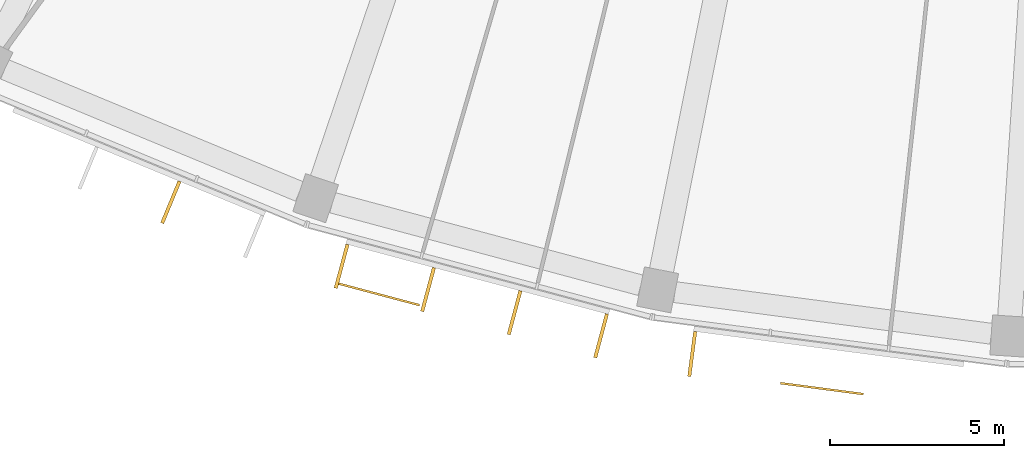
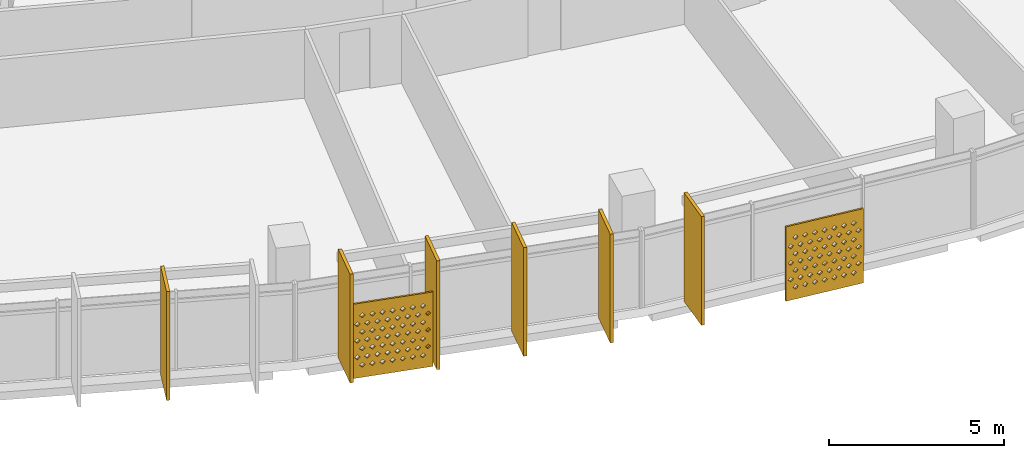
# One storey, part 24 of 27: 8 shading devices.
"""IFC4 building model written with IfcOpenShell, lengths in metres."""

import ifcopenshell
import ifcopenshell.guid

model = None  # the IFC model being written
_history = None  # IfcOwnerHistory: only IFC2X3 demands one
_inside = {}  # id of a spatial element -> (the spatial element, [elements in it])
_under = {}  # id of a project, library or spatial element -> (it, [spatial elements below it])
_declared = {}  # id of a project -> (the project, [libraries it declares])
_typed = {}  # id of a type object -> (the type object, [elements of that type])
_made_of = {}  # id of a material, layer set ... -> (it, [elements and type objects made of it])


def new_model(schema):
    """Start an empty IFC model of exactly this schema.

    Asked for "IFC4X3", IfcOpenShell would pick the latest addendum, in which some entities
    have other attributes; the version numbers below select the first issue.
    IFC2X3 requires an IfcOwnerHistory on every rooted entity: one is made here for all.
    """
    global model, _history
    if schema == "IFC4X3":
        model = ifcopenshell.file(schema_version=(4, 3, 0, 0))
    else:
        model = ifcopenshell.file(schema=schema)
    _inside.clear()
    _under.clear()
    _declared.clear()
    _typed.clear()
    _made_of.clear()
    _history = None
    if model.schema == "IFC2X3":
        org = make("IfcOrganization", Name="unknown")
        user = make(
            "IfcPersonAndOrganization",
            ThePerson=make("IfcPerson", FamilyName="unknown"),
            TheOrganization=org,
        )
        app = make(
            "IfcApplication",
            ApplicationDeveloper=org,
            Version="unknown",
            ApplicationFullName="unknown",
            ApplicationIdentifier="unknown",
        )
        _history = make(
            "IfcOwnerHistory",
            OwningUser=user,
            OwningApplication=app,
            ChangeAction="ADDED",
            CreationDate=0,
        )
    return model


def make(cls, **values):
    """One entity of the class cls with the attributes given. An attribute that is None is left unset."""
    return model.create_entity(
        cls, **{name: value for name, value in values.items() if value is not None}
    )


def rooted(cls, **values):
    """An entity with a GlobalId (a new one), such as an element, a storey or a relation."""
    return make(cls, GlobalId=ifcopenshell.guid.new(), OwnerHistory=_history, **values)


def si_unit(unit_type, name, prefix=None):
    """IfcSIUnit, for example si_unit("LENGTHUNIT", "METRE", prefix="MILLI")."""
    return make("IfcSIUnit", UnitType=unit_type, Prefix=prefix, Name=name)


def assignment(units):
    """IfcUnitAssignment: the units of a project."""
    return None if units is None else make("IfcUnitAssignment", Units=units)


def point(xyz):
    """IfcCartesianPoint."""
    return None if xyz is None else make("IfcCartesianPoint", Coordinates=xyz)


def direction(xyz):
    """IfcDirection."""
    return None if xyz is None else make("IfcDirection", DirectionRatios=xyz)


def frame(location, z_axis=None, x_axis=None):
    """IfcAxis2Placement3D, a coordinate frame: its origin and axes. An axis left out is left unset."""
    return make(
        "IfcAxis2Placement3D",
        Location=point(location),
        Axis=direction(z_axis),
        RefDirection=direction(x_axis),
    )


def frame_2d(location, x_axis=None):
    """IfcAxis2Placement2D, a coordinate frame in the plane: its origin and x axis."""
    return make(
        "IfcAxis2Placement2D", Location=point(location), RefDirection=direction(x_axis)
    )


def origin():
    """The frame at (0, 0, 0) with its axes left unset."""
    return frame((0.0, 0.0, 0.0))


def origin_2d():
    """The frame at (0, 0) in the plane with its x axis left unset."""
    return frame_2d((0.0, 0.0))


def place(relative_to, where):
    """IfcLocalPlacement: puts the frame where relative to a parent placement (None: the world)."""
    return make(
        "IfcLocalPlacement", PlacementRelTo=relative_to, RelativePlacement=where
    )


def context(
    kind, dimensions, precision=None, world=None, true_north=None, identifier=None
):
    """IfcGeometricRepresentationContext, for example the 3D "Model" context."""
    return make(
        "IfcGeometricRepresentationContext",
        ContextIdentifier=identifier,
        ContextType=kind,
        CoordinateSpaceDimension=dimensions,
        Precision=precision,
        WorldCoordinateSystem=world,
        TrueNorth=true_north,
    )


def subcontext(parent, identifier, kind, view, scale=None):
    """IfcGeometricRepresentationSubContext, for example "Body" below "Model"."""
    return make(
        "IfcGeometricRepresentationSubContext",
        ContextIdentifier=identifier,
        ContextType=kind,
        ParentContext=parent,
        TargetScale=scale,
        TargetView=view,
    )


def project(units=None, contexts=None):
    """IfcProject with its units and contexts."""
    return rooted(
        "IfcProject",
        Name="project",
        RepresentationContexts=contexts,
        UnitsInContext=assignment(units),
    )


def spatial(cls, under=None, at=None, **own):
    """A site, building, storey or space (cls), placed at a placement, below another one or the project."""
    s = rooted(cls, ObjectPlacement=at, **own)
    if under is not None:
        _under.setdefault(under.id(), (under, []))[1].append(s)
    return s


def polyline(points):
    """IfcPolyline through the points."""
    return make("IfcPolyline", Points=[point(p) for p in points])


def profile(cls, at=None, kind="AREA", **sizes):
    """A parametric profile (cls). Its sizes go by their IFC names, for example OverallWidth=200.0."""
    return make(cls, ProfileType=kind, Position=at, **sizes)


def rectangle(**sizes):
    """IfcRectangleProfileDef."""
    return profile("IfcRectangleProfileDef", **sizes)


def outline(outer, holes=None, kind="AREA"):
    """IfcArbitraryClosedProfileDef: a profile drawn as a closed curve; with holes, ...WithVoids."""
    if holes is None:
        return make("IfcArbitraryClosedProfileDef", ProfileType=kind, OuterCurve=outer)
    return make(
        "IfcArbitraryProfileDefWithVoids",
        ProfileType=kind,
        OuterCurve=outer,
        InnerCurves=holes,
    )


def extrude(swept, where, along, depth):
    """IfcExtrudedAreaSolid: the profile swept, set in the frame where, extruded along a direction by depth."""
    return make(
        "IfcExtrudedAreaSolid",
        SweptArea=swept,
        Position=where,
        ExtrudedDirection=direction(along),
        Depth=depth,
    )


def shape(context_of_items, identifier, shape_type, items):
    """IfcShapeRepresentation: the items that make up one representation, for example the "Body"."""
    return make(
        "IfcShapeRepresentation",
        ContextOfItems=context_of_items,
        RepresentationIdentifier=identifier,
        RepresentationType=shape_type,
        Items=items,
    )


def material(Name=None, Category=None):
    """IfcMaterial."""
    return make("IfcMaterial", Name=Name, Category=Category)


def material_profile(
    of_material, cross_section, Name=None, Category=None, Priority=None
):
    """IfcMaterialProfile: a cross section and its material."""
    return make(
        "IfcMaterialProfile",
        Name=Name,
        Material=of_material,
        Profile=cross_section,
        Priority=Priority,
        Category=Category,
    )


def profile_set(profiles, Name=None, composite=None):
    """IfcMaterialProfileSet."""
    return make(
        "IfcMaterialProfileSet",
        Name=Name,
        MaterialProfiles=profiles,
        CompositeProfile=composite,
    )


def made_of(thing, what):
    """Note that an element or type object is made of a material, layer set ...; save() writes the relation."""
    if what is not None:
        _made_of.setdefault(what.id(), (what, []))[1].append(thing)
    return thing


def type_object(cls, material=None, **own):
    """A type object (cls), such as IfcWallType, which elements share."""
    return made_of(rooted(cls, **own), material)


def element(
    cls,
    number,
    at=None,
    inside=None,
    cuts=None,
    type_object=None,
    material=None,
    context=None,
    identifier="Body",
    shape_type=None,
    held_by="IfcProductDefinitionShape",
    body=None,
    shapes=None,
    **own,
):
    """One element of the class cls, such as IfcWall. Its Tag is "e" and its number.

    at: its placement. inside: the storey or other place that contains it. cuts: it is an
    opening in that element (IfcRelVoidsElement). A single representation is given by context,
    identifier, shape_type and body (its items); several are given by shapes. held_by: the class
    of the entity that holds the representations. save() writes the other relations.
    """
    e = rooted(cls, Tag="e%d" % number, ObjectPlacement=at, **own)
    if body is not None:
        shapes = [shape(context, identifier, shape_type, body)]
    if shapes is not None:
        e.Representation = make(held_by, Representations=shapes)
    if inside is not None:
        _inside.setdefault(inside.id(), (inside, []))[1].append(e)
    if cuts is not None:
        rooted(
            "IfcRelVoidsElement", RelatingBuildingElement=cuts, RelatedOpeningElement=e
        )
    if type_object is not None:
        _typed.setdefault(type_object.id(), (type_object, []))[1].append(e)
    return made_of(e, material)


def aggregate(whole, parts):
    """IfcRelAggregates: a whole, such as a stair, and the parts it consists of."""
    return rooted("IfcRelAggregates", RelatingObject=whole, RelatedObjects=parts)


def save(model, path):
    """Write the relations noted so far, then the file.

    IfcRelAggregates (storeys below a building ...), IfcRelContainedInSpatialStructure (elements
    in a storey), IfcRelDefinesByType, IfcRelAssociatesMaterial and IfcRelDeclares: one each for
    every whole, place, type object, material and project.
    """
    for whole, parts in _under.values():
        aggregate(whole, parts)
    for where, things in _inside.values():
        rooted(
            "IfcRelContainedInSpatialStructure",
            RelatedElements=things,
            RelatingStructure=where,
        )
    for kind, things in _typed.values():
        rooted("IfcRelDefinesByType", RelatedObjects=things, RelatingType=kind)
    for what, things in _made_of.values():
        rooted("IfcRelAssociatesMaterial", RelatedObjects=things, RelatingMaterial=what)
    for by, libraries in _declared.values():
        rooted("IfcRelDeclares", RelatingContext=by, RelatedDefinitions=libraries)
    model.write(path)


model = new_model("IFC4")

# Units and contexts
model_context = context("Model", 3, precision=1e-05, world=origin(), true_north=direction((0.0, 1.0)))
body_context = subcontext(model_context, "Body", "Model", "MODEL_VIEW")
ifc_project = project(units=[si_unit("LENGTHUNIT", "METRE"), si_unit("AREAUNIT", "SQUARE_METRE"), si_unit("VOLUMEUNIT", "CUBIC_METRE"), si_unit("PLANEANGLEUNIT", "RADIAN"), si_unit("MASSUNIT", "GRAM", prefix="KILO")], contexts=[model_context])

# Site, building, storey
site_placement = place(None, origin())
site = spatial("IfcSite", under=ifc_project, at=site_placement, CompositionType="ELEMENT")
building_placement = place(site_placement, origin())
building = spatial("IfcBuilding", under=site, at=building_placement, Name="Qamariyya Broadcast Tower", CompositionType="ELEMENT")
storey_placement = place(building_placement, frame((0.0, 0.0, 237.89990234375)))
storey = spatial("IfcBuildingStorey", under=building, at=storey_placement, Name="L57", CompositionType="ELEMENT", Elevation=237.89990234375)

# Shading devices
ifc_material_1 = material(Name="Perforated glazed terracotta", Category="masonry")
ifc_material_profile_1 = material_profile(ifc_material_1, outline(polyline([(-1.199951171875, -1.300048828125), (1.199951171875, -1.300048828125), (1.199951171875, 1.300048828125), (-1.199951171875, 1.300048828125), (-1.199951171875, -1.300048828125)]), holes=[polyline([(-0.81494140625, -0.86669921875), (-0.89990234375, -0.78173828125), (-0.985107421875, -0.86669921875), (-0.89990234375, -0.95166015625), (-0.81494140625, -0.86669921875)]), polyline([(-0.514892578125, -0.86669921875), (-0.60009765625, -0.78173828125), (-0.68505859375, -0.86669921875), (-0.60009765625, -0.95166015625), (-0.514892578125, -0.86669921875)]), polyline([(-0.215087890625, -0.86669921875), (-0.300048828125, -0.78173828125), (-0.385009765625, -0.86669921875), (-0.300048828125, -0.95166015625), (-0.215087890625, -0.86669921875)]), polyline([(0.0849609375, -0.86669921875), (0.0, -0.78173828125), (-0.0849609375, -0.86669921875), (0.0, -0.95166015625), (0.0849609375, -0.86669921875)]), polyline([(0.385009765625, -0.86669921875), (0.300048828125, -0.78173828125), (0.215087890625, -0.86669921875), (0.300048828125, -0.95166015625), (0.385009765625, -0.86669921875)]), polyline([(0.68505859375, -0.86669921875), (0.60009765625, -0.78173828125), (0.514892578125, -0.86669921875), (0.60009765625, -0.95166015625), (0.68505859375, -0.86669921875)]), polyline([(0.985107421875, -0.86669921875), (0.89990234375, -0.78173828125), (0.81494140625, -0.86669921875), (0.89990234375, -0.95166015625), (0.985107421875, -0.86669921875)]), polyline([(-0.965087890625, -0.577880859375), (-1.050048828125, -0.49267578125), (-1.135009765625, -0.577880859375), (-1.050048828125, -0.662841796875), (-0.965087890625, -0.577880859375)]), polyline([(-0.6650390625, -0.577880859375), (-0.75, -0.49267578125), (-0.8349609375, -0.577880859375), (-0.75, -0.662841796875), (-0.6650390625, -0.577880859375)]), polyline([(-0.364990234375, -0.577880859375), (-0.449951171875, -0.49267578125), (-0.534912109375, -0.577880859375), (-0.449951171875, -0.662841796875), (-0.364990234375, -0.577880859375)]), polyline([(-0.06494140625, -0.577880859375), (-0.14990234375, -0.49267578125), (-0.235107421875, -0.577880859375), (-0.14990234375, -0.662841796875), (-0.06494140625, -0.577880859375)]), polyline([(0.235107421875, -0.577880859375), (0.14990234375, -0.49267578125), (0.06494140625, -0.577880859375), (0.14990234375, -0.662841796875), (0.235107421875, -0.577880859375)]), polyline([(0.534912109375, -0.577880859375), (0.449951171875, -0.49267578125), (0.364990234375, -0.577880859375), (0.449951171875, -0.662841796875), (0.534912109375, -0.577880859375)]), polyline([(0.8349609375, -0.577880859375), (0.75, -0.49267578125), (0.6650390625, -0.577880859375), (0.75, -0.662841796875), (0.8349609375, -0.577880859375)]), polyline([(1.135009765625, -0.577880859375), (1.050048828125, -0.49267578125), (0.965087890625, -0.577880859375), (1.050048828125, -0.662841796875), (1.135009765625, -0.577880859375)]), polyline([(-0.81494140625, -0.288818359375), (-0.89990234375, -0.203857421875), (-0.985107421875, -0.288818359375), (-0.89990234375, -0.373779296875), (-0.81494140625, -0.288818359375)]), polyline([(-0.514892578125, -0.288818359375), (-0.60009765625, -0.203857421875), (-0.68505859375, -0.288818359375), (-0.60009765625, -0.373779296875), (-0.514892578125, -0.288818359375)]), polyline([(-0.215087890625, -0.288818359375), (-0.300048828125, -0.203857421875), (-0.385009765625, -0.288818359375), (-0.300048828125, -0.373779296875), (-0.215087890625, -0.288818359375)]), polyline([(0.0849609375, -0.288818359375), (0.0, -0.203857421875), (-0.0849609375, -0.288818359375), (0.0, -0.373779296875), (0.0849609375, -0.288818359375)]), polyline([(0.385009765625, -0.288818359375), (0.300048828125, -0.203857421875), (0.215087890625, -0.288818359375), (0.300048828125, -0.373779296875), (0.385009765625, -0.288818359375)]), polyline([(0.68505859375, -0.288818359375), (0.60009765625, -0.203857421875), (0.514892578125, -0.288818359375), (0.60009765625, -0.373779296875), (0.68505859375, -0.288818359375)]), polyline([(0.985107421875, -0.288818359375), (0.89990234375, -0.203857421875), (0.81494140625, -0.288818359375), (0.89990234375, -0.373779296875), (0.985107421875, -0.288818359375)]), polyline([(-0.965087890625, 0.0), (-1.050048828125, 0.0849609375), (-1.135009765625, 0.0), (-1.050048828125, -0.0849609375), (-0.965087890625, 0.0)]), polyline([(-0.6650390625, 0.0), (-0.75, 0.0849609375), (-0.8349609375, 0.0), (-0.75, -0.0849609375), (-0.6650390625, 0.0)]), polyline([(-0.364990234375, 0.0), (-0.449951171875, 0.0849609375), (-0.534912109375, 0.0), (-0.449951171875, -0.0849609375), (-0.364990234375, 0.0)]), polyline([(-0.06494140625, 0.0), (-0.14990234375, 0.0849609375), (-0.235107421875, 0.0), (-0.14990234375, -0.0849609375), (-0.06494140625, 0.0)]), polyline([(0.235107421875, 0.0), (0.14990234375, 0.0849609375), (0.06494140625, 0.0), (0.14990234375, -0.0849609375), (0.235107421875, 0.0)]), polyline([(0.534912109375, 0.0), (0.449951171875, 0.0849609375), (0.364990234375, 0.0), (0.449951171875, -0.0849609375), (0.534912109375, 0.0)]), polyline([(0.8349609375, 0.0), (0.75, 0.0849609375), (0.6650390625, 0.0), (0.75, -0.0849609375), (0.8349609375, 0.0)]), polyline([(1.135009765625, 0.0), (1.050048828125, 0.0849609375), (0.965087890625, 0.0), (1.050048828125, -0.0849609375), (1.135009765625, 0.0)]), polyline([(-0.81494140625, 0.288818359375), (-0.89990234375, 0.373779296875), (-0.985107421875, 0.288818359375), (-0.89990234375, 0.203857421875), (-0.81494140625, 0.288818359375)]), polyline([(-0.514892578125, 0.288818359375), (-0.60009765625, 0.373779296875), (-0.68505859375, 0.288818359375), (-0.60009765625, 0.203857421875), (-0.514892578125, 0.288818359375)]), polyline([(-0.215087890625, 0.288818359375), (-0.300048828125, 0.373779296875), (-0.385009765625, 0.288818359375), (-0.300048828125, 0.203857421875), (-0.215087890625, 0.288818359375)]), polyline([(0.0849609375, 0.288818359375), (0.0, 0.373779296875), (-0.0849609375, 0.288818359375), (0.0, 0.203857421875), (0.0849609375, 0.288818359375)]), polyline([(0.385009765625, 0.288818359375), (0.300048828125, 0.373779296875), (0.215087890625, 0.288818359375), (0.300048828125, 0.203857421875), (0.385009765625, 0.288818359375)]), polyline([(0.68505859375, 0.288818359375), (0.60009765625, 0.373779296875), (0.514892578125, 0.288818359375), (0.60009765625, 0.203857421875), (0.68505859375, 0.288818359375)]), polyline([(0.985107421875, 0.288818359375), (0.89990234375, 0.373779296875), (0.81494140625, 0.288818359375), (0.89990234375, 0.203857421875), (0.985107421875, 0.288818359375)]), polyline([(-0.965087890625, 0.577880859375), (-1.050048828125, 0.662841796875), (-1.135009765625, 0.577880859375), (-1.050048828125, 0.49267578125), (-0.965087890625, 0.577880859375)]), polyline([(-0.6650390625, 0.577880859375), (-0.75, 0.662841796875), (-0.8349609375, 0.577880859375), (-0.75, 0.49267578125), (-0.6650390625, 0.577880859375)]), polyline([(-0.364990234375, 0.577880859375), (-0.449951171875, 0.662841796875), (-0.534912109375, 0.577880859375), (-0.449951171875, 0.49267578125), (-0.364990234375, 0.577880859375)]), polyline([(-0.06494140625, 0.577880859375), (-0.14990234375, 0.662841796875), (-0.235107421875, 0.577880859375), (-0.14990234375, 0.49267578125), (-0.06494140625, 0.577880859375)]), polyline([(0.235107421875, 0.577880859375), (0.14990234375, 0.662841796875), (0.06494140625, 0.577880859375), (0.14990234375, 0.49267578125), (0.235107421875, 0.577880859375)]), polyline([(0.534912109375, 0.577880859375), (0.449951171875, 0.662841796875), (0.364990234375, 0.577880859375), (0.449951171875, 0.49267578125), (0.534912109375, 0.577880859375)]), polyline([(0.8349609375, 0.577880859375), (0.75, 0.662841796875), (0.6650390625, 0.577880859375), (0.75, 0.49267578125), (0.8349609375, 0.577880859375)]), polyline([(1.135009765625, 0.577880859375), (1.050048828125, 0.662841796875), (0.965087890625, 0.577880859375), (1.050048828125, 0.49267578125), (1.135009765625, 0.577880859375)]), polyline([(-0.81494140625, 0.86669921875), (-0.89990234375, 0.95166015625), (-0.985107421875, 0.86669921875), (-0.89990234375, 0.78173828125), (-0.81494140625, 0.86669921875)]), polyline([(-0.514892578125, 0.86669921875), (-0.60009765625, 0.95166015625), (-0.68505859375, 0.86669921875), (-0.60009765625, 0.78173828125), (-0.514892578125, 0.86669921875)]), polyline([(-0.215087890625, 0.86669921875), (-0.300048828125, 0.95166015625), (-0.385009765625, 0.86669921875), (-0.300048828125, 0.78173828125), (-0.215087890625, 0.86669921875)]), polyline([(0.0849609375, 0.86669921875), (0.0, 0.95166015625), (-0.0849609375, 0.86669921875), (0.0, 0.78173828125), (0.0849609375, 0.86669921875)]), polyline([(0.385009765625, 0.86669921875), (0.300048828125, 0.95166015625), (0.215087890625, 0.86669921875), (0.300048828125, 0.78173828125), (0.385009765625, 0.86669921875)]), polyline([(0.68505859375, 0.86669921875), (0.60009765625, 0.95166015625), (0.514892578125, 0.86669921875), (0.60009765625, 0.78173828125), (0.68505859375, 0.86669921875)]), polyline([(0.985107421875, 0.86669921875), (0.89990234375, 0.95166015625), (0.81494140625, 0.86669921875), (0.89990234375, 0.78173828125), (0.985107421875, 0.86669921875)])]))
ifc_profile_set_1 = profile_set([ifc_material_profile_1], Name="Perforated glazed terracotta")
shading_device_type_1 = type_object("IfcShadingDeviceType", Name="Perforated terracotta screen 2400 x 2600", PredefinedType="USERDEFINED", material=ifc_profile_set_1)
shading_device_1_placement = place(storey_placement, frame((-23.160400390625, -76.359130859375, 1.35009765625), z_axis=(-0.256901156343, -0.966437683387, 0.0), x_axis=(0.966437683387, -0.256901156343, 0.0)))
element("IfcShadingDevice", 1, at=shading_device_1_placement, inside=storey, type_object=shading_device_type_1, Name="e-scr-L57-06-0", ObjectType="SCREEN", PredefinedType="USERDEFINED", context=body_context, shape_type="SweptSolid", body=[
    extrude(outline(polyline([(-1.199951171875, -1.300048828125), (1.199951171875, -1.300048828125), (1.199951171875, 1.300048828125), (-1.199951171875, 1.300048828125), (-1.199951171875, -1.300048828125)]), holes=[polyline([(-0.81494140625, -0.86669921875), (-0.89990234375, -0.78173828125), (-0.985107421875, -0.86669921875), (-0.89990234375, -0.95166015625), (-0.81494140625, -0.86669921875)]), polyline([(-0.514892578125, -0.86669921875), (-0.60009765625, -0.78173828125), (-0.68505859375, -0.86669921875), (-0.60009765625, -0.95166015625), (-0.514892578125, -0.86669921875)]), polyline([(-0.215087890625, -0.86669921875), (-0.300048828125, -0.78173828125), (-0.385009765625, -0.86669921875), (-0.300048828125, -0.95166015625), (-0.215087890625, -0.86669921875)]), polyline([(0.0849609375, -0.86669921875), (0.0, -0.78173828125), (-0.0849609375, -0.86669921875), (0.0, -0.95166015625), (0.0849609375, -0.86669921875)]), polyline([(0.385009765625, -0.86669921875), (0.300048828125, -0.78173828125), (0.215087890625, -0.86669921875), (0.300048828125, -0.95166015625), (0.385009765625, -0.86669921875)]), polyline([(0.68505859375, -0.86669921875), (0.60009765625, -0.78173828125), (0.514892578125, -0.86669921875), (0.60009765625, -0.95166015625), (0.68505859375, -0.86669921875)]), polyline([(0.985107421875, -0.86669921875), (0.89990234375, -0.78173828125), (0.81494140625, -0.86669921875), (0.89990234375, -0.95166015625), (0.985107421875, -0.86669921875)]), polyline([(-0.965087890625, -0.577880859375), (-1.050048828125, -0.49267578125), (-1.135009765625, -0.577880859375), (-1.050048828125, -0.662841796875), (-0.965087890625, -0.577880859375)]), polyline([(-0.6650390625, -0.577880859375), (-0.75, -0.49267578125), (-0.8349609375, -0.577880859375), (-0.75, -0.662841796875), (-0.6650390625, -0.577880859375)]), polyline([(-0.364990234375, -0.577880859375), (-0.449951171875, -0.49267578125), (-0.534912109375, -0.577880859375), (-0.449951171875, -0.662841796875), (-0.364990234375, -0.577880859375)]), polyline([(-0.06494140625, -0.577880859375), (-0.14990234375, -0.49267578125), (-0.235107421875, -0.577880859375), (-0.14990234375, -0.662841796875), (-0.06494140625, -0.577880859375)]), polyline([(0.235107421875, -0.577880859375), (0.14990234375, -0.49267578125), (0.06494140625, -0.577880859375), (0.14990234375, -0.662841796875), (0.235107421875, -0.577880859375)]), polyline([(0.534912109375, -0.577880859375), (0.449951171875, -0.49267578125), (0.364990234375, -0.577880859375), (0.449951171875, -0.662841796875), (0.534912109375, -0.577880859375)]), polyline([(0.8349609375, -0.577880859375), (0.75, -0.49267578125), (0.6650390625, -0.577880859375), (0.75, -0.662841796875), (0.8349609375, -0.577880859375)]), polyline([(1.135009765625, -0.577880859375), (1.050048828125, -0.49267578125), (0.965087890625, -0.577880859375), (1.050048828125, -0.662841796875), (1.135009765625, -0.577880859375)]), polyline([(-0.81494140625, -0.288818359375), (-0.89990234375, -0.203857421875), (-0.985107421875, -0.288818359375), (-0.89990234375, -0.373779296875), (-0.81494140625, -0.288818359375)]), polyline([(-0.514892578125, -0.288818359375), (-0.60009765625, -0.203857421875), (-0.68505859375, -0.288818359375), (-0.60009765625, -0.373779296875), (-0.514892578125, -0.288818359375)]), polyline([(-0.215087890625, -0.288818359375), (-0.300048828125, -0.203857421875), (-0.385009765625, -0.288818359375), (-0.300048828125, -0.373779296875), (-0.215087890625, -0.288818359375)]), polyline([(0.0849609375, -0.288818359375), (0.0, -0.203857421875), (-0.0849609375, -0.288818359375), (0.0, -0.373779296875), (0.0849609375, -0.288818359375)]), polyline([(0.385009765625, -0.288818359375), (0.300048828125, -0.203857421875), (0.215087890625, -0.288818359375), (0.300048828125, -0.373779296875), (0.385009765625, -0.288818359375)]), polyline([(0.68505859375, -0.288818359375), (0.60009765625, -0.203857421875), (0.514892578125, -0.288818359375), (0.60009765625, -0.373779296875), (0.68505859375, -0.288818359375)]), polyline([(0.985107421875, -0.288818359375), (0.89990234375, -0.203857421875), (0.81494140625, -0.288818359375), (0.89990234375, -0.373779296875), (0.985107421875, -0.288818359375)]), polyline([(-0.965087890625, 0.0), (-1.050048828125, 0.0849609375), (-1.135009765625, 0.0), (-1.050048828125, -0.0849609375), (-0.965087890625, 0.0)]), polyline([(-0.6650390625, 0.0), (-0.75, 0.0849609375), (-0.8349609375, 0.0), (-0.75, -0.0849609375), (-0.6650390625, 0.0)]), polyline([(-0.364990234375, 0.0), (-0.449951171875, 0.0849609375), (-0.534912109375, 0.0), (-0.449951171875, -0.0849609375), (-0.364990234375, 0.0)]), polyline([(-0.06494140625, 0.0), (-0.14990234375, 0.0849609375), (-0.235107421875, 0.0), (-0.14990234375, -0.0849609375), (-0.06494140625, 0.0)]), polyline([(0.235107421875, 0.0), (0.14990234375, 0.0849609375), (0.06494140625, 0.0), (0.14990234375, -0.0849609375), (0.235107421875, 0.0)]), polyline([(0.534912109375, 0.0), (0.449951171875, 0.0849609375), (0.364990234375, 0.0), (0.449951171875, -0.0849609375), (0.534912109375, 0.0)]), polyline([(0.8349609375, 0.0), (0.75, 0.0849609375), (0.6650390625, 0.0), (0.75, -0.0849609375), (0.8349609375, 0.0)]), polyline([(1.135009765625, 0.0), (1.050048828125, 0.0849609375), (0.965087890625, 0.0), (1.050048828125, -0.0849609375), (1.135009765625, 0.0)]), polyline([(-0.81494140625, 0.288818359375), (-0.89990234375, 0.373779296875), (-0.985107421875, 0.288818359375), (-0.89990234375, 0.203857421875), (-0.81494140625, 0.288818359375)]), polyline([(-0.514892578125, 0.288818359375), (-0.60009765625, 0.373779296875), (-0.68505859375, 0.288818359375), (-0.60009765625, 0.203857421875), (-0.514892578125, 0.288818359375)]), polyline([(-0.215087890625, 0.288818359375), (-0.300048828125, 0.373779296875), (-0.385009765625, 0.288818359375), (-0.300048828125, 0.203857421875), (-0.215087890625, 0.288818359375)]), polyline([(0.0849609375, 0.288818359375), (0.0, 0.373779296875), (-0.0849609375, 0.288818359375), (0.0, 0.203857421875), (0.0849609375, 0.288818359375)]), polyline([(0.385009765625, 0.288818359375), (0.300048828125, 0.373779296875), (0.215087890625, 0.288818359375), (0.300048828125, 0.203857421875), (0.385009765625, 0.288818359375)]), polyline([(0.68505859375, 0.288818359375), (0.60009765625, 0.373779296875), (0.514892578125, 0.288818359375), (0.60009765625, 0.203857421875), (0.68505859375, 0.288818359375)]), polyline([(0.985107421875, 0.288818359375), (0.89990234375, 0.373779296875), (0.81494140625, 0.288818359375), (0.89990234375, 0.203857421875), (0.985107421875, 0.288818359375)]), polyline([(-0.965087890625, 0.577880859375), (-1.050048828125, 0.662841796875), (-1.135009765625, 0.577880859375), (-1.050048828125, 0.49267578125), (-0.965087890625, 0.577880859375)]), polyline([(-0.6650390625, 0.577880859375), (-0.75, 0.662841796875), (-0.8349609375, 0.577880859375), (-0.75, 0.49267578125), (-0.6650390625, 0.577880859375)]), polyline([(-0.364990234375, 0.577880859375), (-0.449951171875, 0.662841796875), (-0.534912109375, 0.577880859375), (-0.449951171875, 0.49267578125), (-0.364990234375, 0.577880859375)]), polyline([(-0.06494140625, 0.577880859375), (-0.14990234375, 0.662841796875), (-0.235107421875, 0.577880859375), (-0.14990234375, 0.49267578125), (-0.06494140625, 0.577880859375)]), polyline([(0.235107421875, 0.577880859375), (0.14990234375, 0.662841796875), (0.06494140625, 0.577880859375), (0.14990234375, 0.49267578125), (0.235107421875, 0.577880859375)]), polyline([(0.534912109375, 0.577880859375), (0.449951171875, 0.662841796875), (0.364990234375, 0.577880859375), (0.449951171875, 0.49267578125), (0.534912109375, 0.577880859375)]), polyline([(0.8349609375, 0.577880859375), (0.75, 0.662841796875), (0.6650390625, 0.577880859375), (0.75, 0.49267578125), (0.8349609375, 0.577880859375)]), polyline([(1.135009765625, 0.577880859375), (1.050048828125, 0.662841796875), (0.965087890625, 0.577880859375), (1.050048828125, 0.49267578125), (1.135009765625, 0.577880859375)]), polyline([(-0.81494140625, 0.86669921875), (-0.89990234375, 0.95166015625), (-0.985107421875, 0.86669921875), (-0.89990234375, 0.78173828125), (-0.81494140625, 0.86669921875)]), polyline([(-0.514892578125, 0.86669921875), (-0.60009765625, 0.95166015625), (-0.68505859375, 0.86669921875), (-0.60009765625, 0.78173828125), (-0.514892578125, 0.86669921875)]), polyline([(-0.215087890625, 0.86669921875), (-0.300048828125, 0.95166015625), (-0.385009765625, 0.86669921875), (-0.300048828125, 0.78173828125), (-0.215087890625, 0.86669921875)]), polyline([(0.0849609375, 0.86669921875), (0.0, 0.95166015625), (-0.0849609375, 0.86669921875), (0.0, 0.78173828125), (0.0849609375, 0.86669921875)]), polyline([(0.385009765625, 0.86669921875), (0.300048828125, 0.95166015625), (0.215087890625, 0.86669921875), (0.300048828125, 0.78173828125), (0.385009765625, 0.86669921875)]), polyline([(0.68505859375, 0.86669921875), (0.60009765625, 0.95166015625), (0.514892578125, 0.86669921875), (0.60009765625, 0.78173828125), (0.68505859375, 0.86669921875)]), polyline([(0.985107421875, 0.86669921875), (0.89990234375, 0.95166015625), (0.81494140625, 0.86669921875), (0.89990234375, 0.78173828125), (0.985107421875, 0.86669921875)])]), origin(), (0.0, 0.0, 1.0), 0.059814453125),
])
shading_device_2_placement = place(storey_placement, frame((-10.4453125, -79.064697265625, 1.35009765625), z_axis=(-0.13056005306, -0.991440402921, 0.0), x_axis=(0.991440402921, -0.13056005306, 0.0)))
element("IfcShadingDevice", 2, at=shading_device_2_placement, inside=storey, type_object=shading_device_type_1, Name="e-scr-L57-07-1", ObjectType="SCREEN", PredefinedType="USERDEFINED", context=body_context, shape_type="SweptSolid", body=[
    extrude(outline(polyline([(-1.199951171875, -1.300048828125), (1.199951171875, -1.300048828125), (1.199951171875, 1.300048828125), (-1.199951171875, 1.300048828125), (-1.199951171875, -1.300048828125)]), holes=[polyline([(-0.81494140625, -0.86669921875), (-0.89990234375, -0.78173828125), (-0.985107421875, -0.86669921875), (-0.89990234375, -0.95166015625), (-0.81494140625, -0.86669921875)]), polyline([(-0.514892578125, -0.86669921875), (-0.60009765625, -0.78173828125), (-0.68505859375, -0.86669921875), (-0.60009765625, -0.95166015625), (-0.514892578125, -0.86669921875)]), polyline([(-0.215087890625, -0.86669921875), (-0.300048828125, -0.78173828125), (-0.385009765625, -0.86669921875), (-0.300048828125, -0.95166015625), (-0.215087890625, -0.86669921875)]), polyline([(0.0849609375, -0.86669921875), (0.0, -0.78173828125), (-0.0849609375, -0.86669921875), (0.0, -0.95166015625), (0.0849609375, -0.86669921875)]), polyline([(0.385009765625, -0.86669921875), (0.300048828125, -0.78173828125), (0.215087890625, -0.86669921875), (0.300048828125, -0.95166015625), (0.385009765625, -0.86669921875)]), polyline([(0.68505859375, -0.86669921875), (0.60009765625, -0.78173828125), (0.514892578125, -0.86669921875), (0.60009765625, -0.95166015625), (0.68505859375, -0.86669921875)]), polyline([(0.985107421875, -0.86669921875), (0.89990234375, -0.78173828125), (0.81494140625, -0.86669921875), (0.89990234375, -0.95166015625), (0.985107421875, -0.86669921875)]), polyline([(-0.965087890625, -0.577880859375), (-1.050048828125, -0.49267578125), (-1.135009765625, -0.577880859375), (-1.050048828125, -0.662841796875), (-0.965087890625, -0.577880859375)]), polyline([(-0.6650390625, -0.577880859375), (-0.75, -0.49267578125), (-0.8349609375, -0.577880859375), (-0.75, -0.662841796875), (-0.6650390625, -0.577880859375)]), polyline([(-0.364990234375, -0.577880859375), (-0.449951171875, -0.49267578125), (-0.534912109375, -0.577880859375), (-0.449951171875, -0.662841796875), (-0.364990234375, -0.577880859375)]), polyline([(-0.06494140625, -0.577880859375), (-0.14990234375, -0.49267578125), (-0.235107421875, -0.577880859375), (-0.14990234375, -0.662841796875), (-0.06494140625, -0.577880859375)]), polyline([(0.235107421875, -0.577880859375), (0.14990234375, -0.49267578125), (0.06494140625, -0.577880859375), (0.14990234375, -0.662841796875), (0.235107421875, -0.577880859375)]), polyline([(0.534912109375, -0.577880859375), (0.449951171875, -0.49267578125), (0.364990234375, -0.577880859375), (0.449951171875, -0.662841796875), (0.534912109375, -0.577880859375)]), polyline([(0.8349609375, -0.577880859375), (0.75, -0.49267578125), (0.6650390625, -0.577880859375), (0.75, -0.662841796875), (0.8349609375, -0.577880859375)]), polyline([(1.135009765625, -0.577880859375), (1.050048828125, -0.49267578125), (0.965087890625, -0.577880859375), (1.050048828125, -0.662841796875), (1.135009765625, -0.577880859375)]), polyline([(-0.81494140625, -0.288818359375), (-0.89990234375, -0.203857421875), (-0.985107421875, -0.288818359375), (-0.89990234375, -0.373779296875), (-0.81494140625, -0.288818359375)]), polyline([(-0.514892578125, -0.288818359375), (-0.60009765625, -0.203857421875), (-0.68505859375, -0.288818359375), (-0.60009765625, -0.373779296875), (-0.514892578125, -0.288818359375)]), polyline([(-0.215087890625, -0.288818359375), (-0.300048828125, -0.203857421875), (-0.385009765625, -0.288818359375), (-0.300048828125, -0.373779296875), (-0.215087890625, -0.288818359375)]), polyline([(0.0849609375, -0.288818359375), (0.0, -0.203857421875), (-0.0849609375, -0.288818359375), (0.0, -0.373779296875), (0.0849609375, -0.288818359375)]), polyline([(0.385009765625, -0.288818359375), (0.300048828125, -0.203857421875), (0.215087890625, -0.288818359375), (0.300048828125, -0.373779296875), (0.385009765625, -0.288818359375)]), polyline([(0.68505859375, -0.288818359375), (0.60009765625, -0.203857421875), (0.514892578125, -0.288818359375), (0.60009765625, -0.373779296875), (0.68505859375, -0.288818359375)]), polyline([(0.985107421875, -0.288818359375), (0.89990234375, -0.203857421875), (0.81494140625, -0.288818359375), (0.89990234375, -0.373779296875), (0.985107421875, -0.288818359375)]), polyline([(-0.965087890625, 0.0), (-1.050048828125, 0.0849609375), (-1.135009765625, 0.0), (-1.050048828125, -0.0849609375), (-0.965087890625, 0.0)]), polyline([(-0.6650390625, 0.0), (-0.75, 0.0849609375), (-0.8349609375, 0.0), (-0.75, -0.0849609375), (-0.6650390625, 0.0)]), polyline([(-0.364990234375, 0.0), (-0.449951171875, 0.0849609375), (-0.534912109375, 0.0), (-0.449951171875, -0.0849609375), (-0.364990234375, 0.0)]), polyline([(-0.06494140625, 0.0), (-0.14990234375, 0.0849609375), (-0.235107421875, 0.0), (-0.14990234375, -0.0849609375), (-0.06494140625, 0.0)]), polyline([(0.235107421875, 0.0), (0.14990234375, 0.0849609375), (0.06494140625, 0.0), (0.14990234375, -0.0849609375), (0.235107421875, 0.0)]), polyline([(0.534912109375, 0.0), (0.449951171875, 0.0849609375), (0.364990234375, 0.0), (0.449951171875, -0.0849609375), (0.534912109375, 0.0)]), polyline([(0.8349609375, 0.0), (0.75, 0.0849609375), (0.6650390625, 0.0), (0.75, -0.0849609375), (0.8349609375, 0.0)]), polyline([(1.135009765625, 0.0), (1.050048828125, 0.0849609375), (0.965087890625, 0.0), (1.050048828125, -0.0849609375), (1.135009765625, 0.0)]), polyline([(-0.81494140625, 0.288818359375), (-0.89990234375, 0.373779296875), (-0.985107421875, 0.288818359375), (-0.89990234375, 0.203857421875), (-0.81494140625, 0.288818359375)]), polyline([(-0.514892578125, 0.288818359375), (-0.60009765625, 0.373779296875), (-0.68505859375, 0.288818359375), (-0.60009765625, 0.203857421875), (-0.514892578125, 0.288818359375)]), polyline([(-0.215087890625, 0.288818359375), (-0.300048828125, 0.373779296875), (-0.385009765625, 0.288818359375), (-0.300048828125, 0.203857421875), (-0.215087890625, 0.288818359375)]), polyline([(0.0849609375, 0.288818359375), (0.0, 0.373779296875), (-0.0849609375, 0.288818359375), (0.0, 0.203857421875), (0.0849609375, 0.288818359375)]), polyline([(0.385009765625, 0.288818359375), (0.300048828125, 0.373779296875), (0.215087890625, 0.288818359375), (0.300048828125, 0.203857421875), (0.385009765625, 0.288818359375)]), polyline([(0.68505859375, 0.288818359375), (0.60009765625, 0.373779296875), (0.514892578125, 0.288818359375), (0.60009765625, 0.203857421875), (0.68505859375, 0.288818359375)]), polyline([(0.985107421875, 0.288818359375), (0.89990234375, 0.373779296875), (0.81494140625, 0.288818359375), (0.89990234375, 0.203857421875), (0.985107421875, 0.288818359375)]), polyline([(-0.965087890625, 0.577880859375), (-1.050048828125, 0.662841796875), (-1.135009765625, 0.577880859375), (-1.050048828125, 0.49267578125), (-0.965087890625, 0.577880859375)]), polyline([(-0.6650390625, 0.577880859375), (-0.75, 0.662841796875), (-0.8349609375, 0.577880859375), (-0.75, 0.49267578125), (-0.6650390625, 0.577880859375)]), polyline([(-0.364990234375, 0.577880859375), (-0.449951171875, 0.662841796875), (-0.534912109375, 0.577880859375), (-0.449951171875, 0.49267578125), (-0.364990234375, 0.577880859375)]), polyline([(-0.06494140625, 0.577880859375), (-0.14990234375, 0.662841796875), (-0.235107421875, 0.577880859375), (-0.14990234375, 0.49267578125), (-0.06494140625, 0.577880859375)]), polyline([(0.235107421875, 0.577880859375), (0.14990234375, 0.662841796875), (0.06494140625, 0.577880859375), (0.14990234375, 0.49267578125), (0.235107421875, 0.577880859375)]), polyline([(0.534912109375, 0.577880859375), (0.449951171875, 0.662841796875), (0.364990234375, 0.577880859375), (0.449951171875, 0.49267578125), (0.534912109375, 0.577880859375)]), polyline([(0.8349609375, 0.577880859375), (0.75, 0.662841796875), (0.6650390625, 0.577880859375), (0.75, 0.49267578125), (0.8349609375, 0.577880859375)]), polyline([(1.135009765625, 0.577880859375), (1.050048828125, 0.662841796875), (0.965087890625, 0.577880859375), (1.050048828125, 0.49267578125), (1.135009765625, 0.577880859375)]), polyline([(-0.81494140625, 0.86669921875), (-0.89990234375, 0.95166015625), (-0.985107421875, 0.86669921875), (-0.89990234375, 0.78173828125), (-0.81494140625, 0.86669921875)]), polyline([(-0.514892578125, 0.86669921875), (-0.60009765625, 0.95166015625), (-0.68505859375, 0.86669921875), (-0.60009765625, 0.78173828125), (-0.514892578125, 0.86669921875)]), polyline([(-0.215087890625, 0.86669921875), (-0.300048828125, 0.95166015625), (-0.385009765625, 0.86669921875), (-0.300048828125, 0.78173828125), (-0.215087890625, 0.86669921875)]), polyline([(0.0849609375, 0.86669921875), (0.0, 0.95166015625), (-0.0849609375, 0.86669921875), (0.0, 0.78173828125), (0.0849609375, 0.86669921875)]), polyline([(0.385009765625, 0.86669921875), (0.300048828125, 0.95166015625), (0.215087890625, 0.86669921875), (0.300048828125, 0.78173828125), (0.385009765625, 0.86669921875)]), polyline([(0.68505859375, 0.86669921875), (0.60009765625, 0.95166015625), (0.514892578125, 0.86669921875), (0.60009765625, 0.78173828125), (0.68505859375, 0.86669921875)]), polyline([(0.985107421875, 0.86669921875), (0.89990234375, 0.95166015625), (0.81494140625, 0.86669921875), (0.89990234375, 0.78173828125), (0.985107421875, 0.86669921875)])]), origin(), (0.0, 0.0, 1.0), 0.059814453125),
])
ifc_material_2 = material(Name="Glazed terracotta", Category="masonry")
ifc_material_profile_2 = material_profile(ifc_material_2, rectangle(XDim=1.300048828125, YDim=0.10009765625, at=origin_2d()))
ifc_profile_set_2 = profile_set([ifc_material_profile_2], Name="Glazed terracotta")
shading_device_type_2 = type_object("IfcShadingDeviceType", Name="Terracotta fin 100 x 1300", PredefinedType="USERDEFINED", material=ifc_profile_set_2)
for number, where, z_axis, x_axis, name in (
    (3, (-29.151611328125, -73.73876953125, 0.0), (0.0, 0.0, 1.0), (-0.382683432365, -0.923879532511, 0.0), "e-fin-L57-05-2"),
    (4, (-24.24609375, -75.58154296875, 0.0), (0.0, 0.0, 1.0), (-0.258819045103, -0.965925826289, 0.0), "e-fin-L57-06-0"),
    (5, (-21.76171875, -76.247314453125, 0.0), (0.0, 0.0, 1.0), (-0.258819045103, -0.965925826289, 0.0), "e-fin-L57-06-1"),
    (6, (-19.27734375, -76.9130859375, 0.0), (0.0, 0.0, 1.0), (-0.258819045103, -0.965925826289, 0.0), "e-fin-L57-06-2"),
    (7, (-16.79296875, -77.57861328125, 0.0), (0.0, 0.0, 1.0), (-0.258819045103, -0.965925826289, 0.0), "e-fin-L57-06-3"),
    (8, (-14.17333984375, -78.099853515625, 0.0), (0.0, 0.0, 1.0), (-0.13052619222, -0.991444861374, 0.0), "e-fin-L57-07-0"),
):
    element("IfcShadingDevice", number, at=place(storey_placement, frame(where, z_axis=z_axis, x_axis=x_axis)), inside=storey, type_object=shading_device_type_2, Name=name, ObjectType="FIN", PredefinedType="USERDEFINED", context=body_context, shape_type="SweptSolid", body=[
        extrude(rectangle(XDim=1.300048828125, YDim=0.10009765625, at=origin_2d()), origin(), (0.0, 0.0, 1.0), 3.800048828125),
    ])

save(model, "model.ifc")
